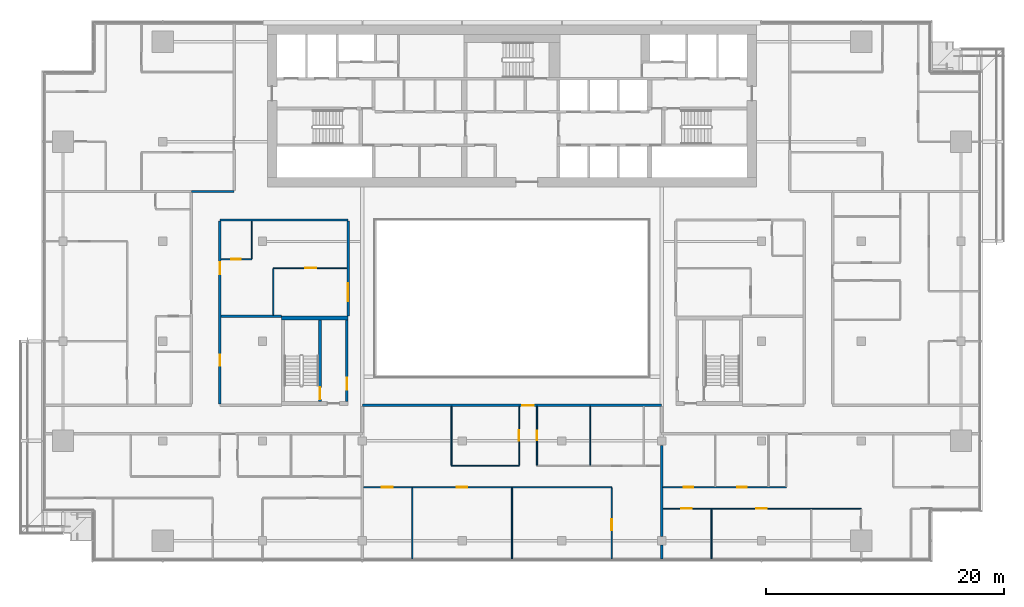
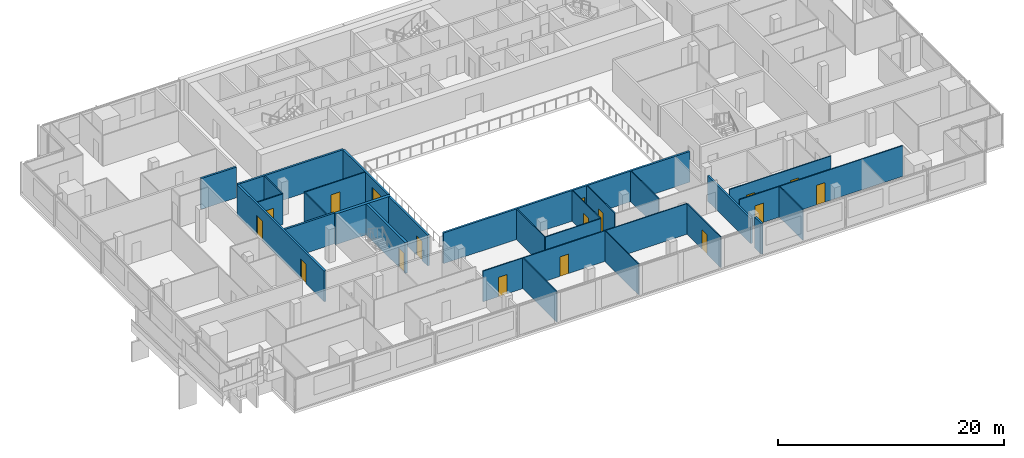
# One storey, part 17 of 29: 27 walls, 16 doors, 1 window, 17 openings.
"""IFC4 building model written with IfcOpenShell, lengths in metres."""

import ifcopenshell
import ifcopenshell.guid

model = None  # the IFC model being written
_history = None  # IfcOwnerHistory: only IFC2X3 demands one
_inside = {}  # id of a spatial element -> (the spatial element, [elements in it])
_under = {}  # id of a project, library or spatial element -> (it, [spatial elements below it])
_declared = {}  # id of a project -> (the project, [libraries it declares])
_typed = {}  # id of a type object -> (the type object, [elements of that type])
_made_of = {}  # id of a material, layer set ... -> (it, [elements and type objects made of it])


def new_model(schema):
    """Start an empty IFC model of exactly this schema.

    Asked for "IFC4X3", IfcOpenShell would pick the latest addendum, in which some entities
    have other attributes; the version numbers below select the first issue.
    IFC2X3 requires an IfcOwnerHistory on every rooted entity: one is made here for all.
    """
    global model, _history
    if schema == "IFC4X3":
        model = ifcopenshell.file(schema_version=(4, 3, 0, 0))
    else:
        model = ifcopenshell.file(schema=schema)
    _inside.clear()
    _under.clear()
    _declared.clear()
    _typed.clear()
    _made_of.clear()
    _history = None
    if model.schema == "IFC2X3":
        org = make("IfcOrganization", Name="unknown")
        user = make(
            "IfcPersonAndOrganization",
            ThePerson=make("IfcPerson", FamilyName="unknown"),
            TheOrganization=org,
        )
        app = make(
            "IfcApplication",
            ApplicationDeveloper=org,
            Version="unknown",
            ApplicationFullName="unknown",
            ApplicationIdentifier="unknown",
        )
        _history = make(
            "IfcOwnerHistory",
            OwningUser=user,
            OwningApplication=app,
            ChangeAction="ADDED",
            CreationDate=0,
        )
    return model


def make(cls, **values):
    """One entity of the class cls with the attributes given. An attribute that is None is left unset."""
    return model.create_entity(
        cls, **{name: value for name, value in values.items() if value is not None}
    )


def rooted(cls, **values):
    """An entity with a GlobalId (a new one), such as an element, a storey or a relation."""
    return make(cls, GlobalId=ifcopenshell.guid.new(), OwnerHistory=_history, **values)


def si_unit(unit_type, name, prefix=None):
    """IfcSIUnit, for example si_unit("LENGTHUNIT", "METRE", prefix="MILLI")."""
    return make("IfcSIUnit", UnitType=unit_type, Prefix=prefix, Name=name)


def assignment(units):
    """IfcUnitAssignment: the units of a project."""
    return None if units is None else make("IfcUnitAssignment", Units=units)


def point(xyz):
    """IfcCartesianPoint."""
    return None if xyz is None else make("IfcCartesianPoint", Coordinates=xyz)


def direction(xyz):
    """IfcDirection."""
    return None if xyz is None else make("IfcDirection", DirectionRatios=xyz)


def frame(location, z_axis=None, x_axis=None):
    """IfcAxis2Placement3D, a coordinate frame: its origin and axes. An axis left out is left unset."""
    return make(
        "IfcAxis2Placement3D",
        Location=point(location),
        Axis=direction(z_axis),
        RefDirection=direction(x_axis),
    )


def frame_2d(location, x_axis=None):
    """IfcAxis2Placement2D, a coordinate frame in the plane: its origin and x axis."""
    return make(
        "IfcAxis2Placement2D", Location=point(location), RefDirection=direction(x_axis)
    )


def origin():
    """The frame at (0, 0, 0) with its axes left unset."""
    return frame((0.0, 0.0, 0.0))


def place(relative_to, where):
    """IfcLocalPlacement: puts the frame where relative to a parent placement (None: the world)."""
    return make(
        "IfcLocalPlacement", PlacementRelTo=relative_to, RelativePlacement=where
    )


def context(
    kind, dimensions, precision=None, world=None, true_north=None, identifier=None
):
    """IfcGeometricRepresentationContext, for example the 3D "Model" context."""
    return make(
        "IfcGeometricRepresentationContext",
        ContextIdentifier=identifier,
        ContextType=kind,
        CoordinateSpaceDimension=dimensions,
        Precision=precision,
        WorldCoordinateSystem=world,
        TrueNorth=true_north,
    )


def subcontext(parent, identifier, kind, view, scale=None):
    """IfcGeometricRepresentationSubContext, for example "Body" below "Model"."""
    return make(
        "IfcGeometricRepresentationSubContext",
        ContextIdentifier=identifier,
        ContextType=kind,
        ParentContext=parent,
        TargetScale=scale,
        TargetView=view,
    )


def project(units=None, contexts=None):
    """IfcProject with its units and contexts."""
    return rooted(
        "IfcProject",
        Name="project",
        RepresentationContexts=contexts,
        UnitsInContext=assignment(units),
    )


def spatial(cls, under=None, at=None, **own):
    """A site, building, storey or space (cls), placed at a placement, below another one or the project."""
    s = rooted(cls, ObjectPlacement=at, **own)
    if under is not None:
        _under.setdefault(under.id(), (under, []))[1].append(s)
    return s


def profile(cls, at=None, kind="AREA", **sizes):
    """A parametric profile (cls). Its sizes go by their IFC names, for example OverallWidth=200.0."""
    return make(cls, ProfileType=kind, Position=at, **sizes)


def rectangle(**sizes):
    """IfcRectangleProfileDef."""
    return profile("IfcRectangleProfileDef", **sizes)


def extrude(swept, where, along, depth):
    """IfcExtrudedAreaSolid: the profile swept, set in the frame where, extruded along a direction by depth."""
    return make(
        "IfcExtrudedAreaSolid",
        SweptArea=swept,
        Position=where,
        ExtrudedDirection=direction(along),
        Depth=depth,
    )


def shape(context_of_items, identifier, shape_type, items):
    """IfcShapeRepresentation: the items that make up one representation, for example the "Body"."""
    return make(
        "IfcShapeRepresentation",
        ContextOfItems=context_of_items,
        RepresentationIdentifier=identifier,
        RepresentationType=shape_type,
        Items=items,
    )


def material(Name=None, Category=None):
    """IfcMaterial."""
    return make("IfcMaterial", Name=Name, Category=Category)


def layer(
    of_material, thickness, ventilated=None, Name=None, Category=None, Priority=None
):
    """IfcMaterialLayer: one layer of a wall or slab, of a material (None: an air gap)."""
    return make(
        "IfcMaterialLayer",
        Material=of_material,
        LayerThickness=thickness,
        IsVentilated=ventilated,
        Name=Name,
        Category=Category,
        Priority=Priority,
    )


def layer_set(layers, Name=None):
    """IfcMaterialLayerSet."""
    return make("IfcMaterialLayerSet", MaterialLayers=layers, LayerSetName=Name)


def made_of(thing, what):
    """Note that an element or type object is made of a material, layer set ...; save() writes the relation."""
    if what is not None:
        _made_of.setdefault(what.id(), (what, []))[1].append(thing)
    return thing


def type_object(cls, material=None, **own):
    """A type object (cls), such as IfcWallType, which elements share."""
    return made_of(rooted(cls, **own), material)


def element(
    cls,
    number,
    at=None,
    inside=None,
    cuts=None,
    type_object=None,
    material=None,
    context=None,
    identifier="Body",
    shape_type=None,
    held_by="IfcProductDefinitionShape",
    body=None,
    shapes=None,
    **own,
):
    """One element of the class cls, such as IfcWall. Its Tag is "e" and its number.

    at: its placement. inside: the storey or other place that contains it. cuts: it is an
    opening in that element (IfcRelVoidsElement). A single representation is given by context,
    identifier, shape_type and body (its items); several are given by shapes. held_by: the class
    of the entity that holds the representations. save() writes the other relations.
    """
    e = rooted(cls, Tag="e%d" % number, ObjectPlacement=at, **own)
    if body is not None:
        shapes = [shape(context, identifier, shape_type, body)]
    if shapes is not None:
        e.Representation = make(held_by, Representations=shapes)
    if inside is not None:
        _inside.setdefault(inside.id(), (inside, []))[1].append(e)
    if cuts is not None:
        rooted(
            "IfcRelVoidsElement", RelatingBuildingElement=cuts, RelatedOpeningElement=e
        )
    if type_object is not None:
        _typed.setdefault(type_object.id(), (type_object, []))[1].append(e)
    return made_of(e, material)


def fill(opening, filler):
    """IfcRelFillsElement: the door or window that sits in an opening."""
    return rooted(
        "IfcRelFillsElement",
        RelatingOpeningElement=opening,
        RelatedBuildingElement=filler,
    )


def aggregate(whole, parts):
    """IfcRelAggregates: a whole, such as a stair, and the parts it consists of."""
    return rooted("IfcRelAggregates", RelatingObject=whole, RelatedObjects=parts)


def save(model, path):
    """Write the relations noted so far, then the file.

    IfcRelAggregates (storeys below a building ...), IfcRelContainedInSpatialStructure (elements
    in a storey), IfcRelDefinesByType, IfcRelAssociatesMaterial and IfcRelDeclares: one each for
    every whole, place, type object, material and project.
    """
    for whole, parts in _under.values():
        aggregate(whole, parts)
    for where, things in _inside.values():
        rooted(
            "IfcRelContainedInSpatialStructure",
            RelatedElements=things,
            RelatingStructure=where,
        )
    for kind, things in _typed.values():
        rooted("IfcRelDefinesByType", RelatedObjects=things, RelatingType=kind)
    for what, things in _made_of.values():
        rooted("IfcRelAssociatesMaterial", RelatedObjects=things, RelatingMaterial=what)
    for by, libraries in _declared.values():
        rooted("IfcRelDeclares", RelatingContext=by, RelatedDefinitions=libraries)
    model.write(path)


model = new_model("IFC4")

# Units and contexts
model_context = context("Model", 3, precision=1e-05, world=origin(), true_north=direction((0.0, 1.0)))
body_context = subcontext(model_context, "Body", "Model", "MODEL_VIEW")
ifc_project = project(units=[si_unit("LENGTHUNIT", "METRE"), si_unit("AREAUNIT", "SQUARE_METRE"), si_unit("VOLUMEUNIT", "CUBIC_METRE"), si_unit("PLANEANGLEUNIT", "RADIAN"), si_unit("MASSUNIT", "GRAM", prefix="KILO")], contexts=[model_context])

# Site, building, storey
site_placement = place(None, origin())
site = spatial("IfcSite", under=ifc_project, at=site_placement, CompositionType="ELEMENT")
building_placement = place(site_placement, origin())
building = spatial("IfcBuilding", under=site, at=building_placement, Name="Saffron Gate Tower", CompositionType="ELEMENT")
storey_placement = place(building_placement, frame((0.0, 0.0, 187.050048828125)))
storey = spatial("IfcBuildingStorey", under=building, at=storey_placement, Name="L46", CompositionType="ELEMENT", Elevation=187.050048828125)

# Wall, opening, door
ifc_material_1 = material(Name="Gypsum board partition on steel studs", Category="steel")
ifc_layer_1 = layer(ifc_material_1, 0.199951171875)
ifc_layer_set_1 = layer_set([ifc_layer_1], Name="CW10 Core partition 200")
wall_type_1 = type_object("IfcWallType", Name="CW10 Core partition 200", PredefinedType="PARTITIONING", material=ifc_layer_set_1)
wall_1_placement = place(storey_placement, frame((73.699951171875, 43.5, 0.0), z_axis=(0.0, 0.0, 1.0), x_axis=(0.0, 1.0, 0.0)))
wall_1 = element("IfcWall", 1, at=wall_1_placement, inside=storey, type_object=wall_type_1, Name="Wall CW10-L46-D-4", PredefinedType="PARTITIONING", context=body_context, shape_type="SweptSolid", body=[
    extrude(rectangle(XDim=6.89990234375, YDim=0.199951171875, at=frame_2d((3.449951171875, 0.0))), origin(), (0.0, 0.0, 1.0), 3.320068359375),
])
opening_1_placement = place(wall_1_placement, frame((1.0, 0.0, 0.0)))
opening_1 = element("IfcOpeningElement", 2, at=opening_1_placement, cuts=wall_1, Name="Opening CR-19", PredefinedType="OPENING", context=body_context, shape_type="SweptSolid", body=[
    extrude(rectangle(XDim=1.0, YDim=2.10009765625, at=frame_2d((0.5, 1.050048828125))), frame((0.0, 0.10986328125, 0.0), z_axis=(0.0, -1.0, 0.0), x_axis=(1.0, 0.0, 0.0)), (0.0, 0.0, 1.0), 0.219970703125),
])
ifc_material_2 = material(Name="Steel fire door set", Category="steel")
door_type_1 = type_object("IfcDoorType", Name="CD4 Lobby door 1000x2100 EI 120", OperationType="NOTDEFINED", PredefinedType="DOOR", material=ifc_material_2)
door_1_placement = place(opening_1_placement, origin())
door_1 = element("IfcDoor", 3, at=door_1_placement, inside=storey, type_object=door_type_1, Name="DOOR CR-19", OperationType="SINGLE_SWING_RIGHT", OverallHeight=2.10009765625, OverallWidth=1.0, PredefinedType="DOOR", context=body_context, shape_type="SweptSolid", body=[
    extrude(rectangle(XDim=1.0, YDim=2.10009765625, at=frame_2d((0.5, 1.050048828125))), frame((0.0, 0.02490234375, 0.0), z_axis=(0.0, -1.0, 0.0), x_axis=(1.0, 0.0, 0.0)), (0.0, 0.0, 1.0), 0.050048828125),
])
fill(opening_1, door_1)

ifc_material_3 = material(Name="Concrete C60", Category="concrete")
ifc_layer_2 = layer(ifc_material_3, 0.25)
ifc_layer_set_2 = layer_set([ifc_layer_2], Name="CW14 RC core wall 250 C60")
wall_type_2 = type_object("IfcWallType", Name="CW14 RC core wall 250 C60", PredefinedType="SOLIDWALL", material=ifc_layer_set_2)
wall_2_placement = place(storey_placement, frame((71.425048828125, 43.5, 0.0), z_axis=(0.0, 0.0, 1.0), x_axis=(0.0, 1.0, 0.0)))
wall_2 = element("IfcWall", 4, at=wall_2_placement, inside=storey, type_object=wall_type_2, Name="Wall CW14-L46-D-3", PredefinedType="SOLIDWALL", context=body_context, shape_type="SweptSolid", body=[
    extrude(rectangle(XDim=6.89990234375, YDim=0.25, at=frame_2d((3.449951171875, 0.0))), origin(), (0.0, 0.0, 1.0), 3.320068359375),
])
opening_2_placement = place(wall_2_placement, frame((0.199951171875, 0.0, 0.0)))
opening_2 = element("IfcOpeningElement", 5, at=opening_2_placement, cuts=wall_2, Name="Opening CR-20", PredefinedType="OPENING", context=body_context, shape_type="SweptSolid", body=[
    extrude(rectangle(XDim=1.0, YDim=2.10009765625, at=frame_2d((0.5, 1.050048828125))), frame((0.0, 0.135009765625, 0.0), z_axis=(0.0, -1.0, 0.0), x_axis=(1.0, 0.0, 0.0)), (0.0, 0.0, 1.0), 0.27001953125),
])
door_type_2 = type_object("IfcDoorType", Name="CD5 Stair door 1000x2100 EI 120", OperationType="NOTDEFINED", PredefinedType="DOOR", material=ifc_material_2)
door_2_placement = place(opening_2_placement, origin())
door_2 = element("IfcDoor", 6, at=door_2_placement, inside=storey, type_object=door_type_2, Name="DOOR CR-20", OperationType="SINGLE_SWING_LEFT", OverallHeight=2.10009765625, OverallWidth=1.0, PredefinedType="DOOR", context=body_context, shape_type="SweptSolid", body=[
    extrude(rectangle(XDim=1.0, YDim=2.10009765625, at=frame_2d((0.5, 1.050048828125))), frame((0.0, 0.02490234375, 0.0), z_axis=(0.0, -1.0, 0.0), x_axis=(1.0, 0.0, 0.0)), (0.0, 0.0, 1.0), 0.050048828125),
])
fill(opening_2, door_2)

# Wall
ifc_layer_3 = layer(ifc_material_3, 0.300048828125)
ifc_layer_set_3 = layer_set([ifc_layer_3], Name="CW17 RC core wall 300 C60")
wall_type_3 = type_object("IfcWallType", Name="CW17 RC core wall 300 C60", PredefinedType="SOLIDWALL", material=ifc_layer_set_3)
wall_3_placement = place(storey_placement, frame((68.199951171875, 50.550048828125, 0.0), z_axis=(0.0, 0.0, 1.0), x_axis=(1.0, 0.0, 0.0)))
element("IfcWall", 7, at=wall_3_placement, inside=storey, type_object=wall_type_3, Name="Wall CW17-L46-D-5", PredefinedType="SOLIDWALL", context=body_context, shape_type="SweptSolid", body=[
    extrude(rectangle(XDim=5.60009765625, YDim=0.300048828125, at=frame_2d((2.800048828125, 0.0))), origin(), (0.0, 0.0, 1.0), 3.320068359375),
])

# Wall, openings, doors
ifc_material_4 = material(Name="Plasterboard on steel studs", Category="steel")
ifc_layer_4 = layer(ifc_material_4, 0.10009765625)
ifc_layer_set_4 = layer_set([ifc_layer_4], Name="PW1 Partition 100")
wall_type_4 = type_object("IfcWallType", Name="PW1 Partition 100", PredefinedType="PARTITIONING", material=ifc_layer_set_4)
wall_4_placement = place(storey_placement, frame((117.0, 34.5, 0.0), z_axis=(0.0, 0.0, 1.0), x_axis=(-1.0, 0.0, 0.0)))
wall_4 = element("IfcWall", 8, at=wall_4_placement, inside=storey, type_object=wall_type_4, Name="Partition C4-1", PredefinedType="PARTITIONING", context=body_context, shape_type="SweptSolid", body=[
    extrude(rectangle(XDim=16.699951171875, YDim=0.10009765625, at=frame_2d((8.35009765625, 0.0))), origin(), (0.0, 0.0, 1.0), 3.320068359375),
])
opening_3_placement = place(wall_4_placement, frame((7.949951171875, 0.0, 0.0)))
opening_3 = element("IfcOpeningElement", 9, at=opening_3_placement, cuts=wall_4, Name="Opening C4-21", PredefinedType="OPENING", context=body_context, shape_type="SweptSolid", body=[
    extrude(rectangle(XDim=0.89990234375, YDim=2.10009765625, at=frame_2d((0.449951171875, 1.050048828125))), frame((0.0, 0.06005859375, 0.0), z_axis=(0.0, -1.0, 0.0), x_axis=(1.0, 0.0, 0.0)), (0.0, 0.0, 1.0), 0.1201171875),
])
opening_4_placement = place(wall_4_placement, frame((14.25, 0.0, 0.0)))
opening_4 = element("IfcOpeningElement", 10, at=opening_4_placement, cuts=wall_4, Name="Opening C4-20", PredefinedType="OPENING", context=body_context, shape_type="SweptSolid", body=[
    extrude(rectangle(XDim=0.89990234375, YDim=2.10009765625, at=frame_2d((0.449951171875, 1.050048828125))), frame((0.0, 0.06005859375, 0.0), z_axis=(0.0, -1.0, 0.0), x_axis=(1.0, 0.0, 0.0)), (0.0, 0.0, 1.0), 0.1201171875),
])
ifc_material_5 = material(Name="Timber door set", Category="wood")
door_type_3 = type_object("IfcDoorType", Name="RD1 Room door 900x2100", OperationType="NOTDEFINED", PredefinedType="DOOR", material=ifc_material_5)
door_3_placement = place(opening_3_placement, origin())
door_3 = element("IfcDoor", 11, at=door_3_placement, inside=storey, type_object=door_type_3, Name="Door C4-21", OperationType="SINGLE_SWING_LEFT", OverallHeight=2.10009765625, OverallWidth=0.89990234375, PredefinedType="DOOR", context=body_context, shape_type="SweptSolid", body=[
    extrude(rectangle(XDim=0.89990234375, YDim=2.10009765625, at=frame_2d((0.449951171875, 1.050048828125))), frame((0.0, 0.02490234375, 0.0), z_axis=(0.0, -1.0, 0.0), x_axis=(1.0, 0.0, 0.0)), (0.0, 0.0, 1.0), 0.050048828125),
])
fill(opening_3, door_3)
door_4_placement = place(opening_4_placement, origin())
door_4 = element("IfcDoor", 12, at=door_4_placement, inside=storey, type_object=door_type_3, Name="Door C4-20", OperationType="SINGLE_SWING_RIGHT", OverallHeight=2.10009765625, OverallWidth=0.89990234375, PredefinedType="DOOR", context=body_context, shape_type="SweptSolid", body=[
    extrude(rectangle(XDim=0.89990234375, YDim=2.10009765625, at=frame_2d((0.449951171875, 1.050048828125))), frame((0.0, 0.02490234375, 0.0), z_axis=(0.0, -1.0, 0.0), x_axis=(1.0, 0.0, 0.0)), (0.0, 0.0, 1.0), 0.050048828125),
])
fill(opening_4, door_4)

wall_5_placement = place(storey_placement, frame((96.0, 36.300048828125, 0.0), z_axis=(0.0, 0.0, 1.0), x_axis=(-1.0, 0.0, 0.0)))
wall_5 = element("IfcWall", 13, at=wall_5_placement, inside=storey, type_object=wall_type_4, Name="Partition C4-5", PredefinedType="PARTITIONING", context=body_context, shape_type="SweptSolid", body=[
    extrude(rectangle(XDim=20.89990234375, YDim=0.10009765625, at=frame_2d((10.449951171875, 0.0))), origin(), (0.0, 0.0, 1.0), 3.320068359375),
])
opening_5_placement = place(wall_5_placement, frame((12.14990234375, 0.0, 0.0)))
opening_5 = element("IfcOpeningElement", 14, at=opening_5_placement, cuts=wall_5, Name="Opening C4-16", PredefinedType="OPENING", context=body_context, shape_type="SweptSolid", body=[
    extrude(rectangle(XDim=0.89990234375, YDim=2.10009765625, at=frame_2d((0.449951171875, 1.050048828125))), frame((0.0, 0.06005859375, 0.0), z_axis=(0.0, -1.0, 0.0), x_axis=(1.0, 0.0, 0.0)), (0.0, 0.0, 1.0), 0.1201171875),
])
opening_6_placement = place(wall_5_placement, frame((18.449951171875, 0.0, 0.0)))
opening_6 = element("IfcOpeningElement", 15, at=opening_6_placement, cuts=wall_5, Name="Opening C4-15", PredefinedType="OPENING", context=body_context, shape_type="SweptSolid", body=[
    extrude(rectangle(XDim=0.89990234375, YDim=2.10009765625, at=frame_2d((0.449951171875, 1.050048828125))), frame((0.0, 0.06005859375, 0.0), z_axis=(0.0, -1.0, 0.0), x_axis=(1.0, 0.0, 0.0)), (0.0, 0.0, 1.0), 0.1201171875),
])
door_5_placement = place(opening_5_placement, origin())
door_5 = element("IfcDoor", 16, at=door_5_placement, inside=storey, type_object=door_type_3, Name="Door C4-16", OperationType="SINGLE_SWING_RIGHT", OverallHeight=2.10009765625, OverallWidth=0.89990234375, PredefinedType="DOOR", context=body_context, shape_type="SweptSolid", body=[
    extrude(rectangle(XDim=0.89990234375, YDim=2.10009765625, at=frame_2d((0.449951171875, 1.050048828125))), frame((0.0, 0.02490234375, 0.0), z_axis=(0.0, -1.0, 0.0), x_axis=(1.0, 0.0, 0.0)), (0.0, 0.0, 1.0), 0.050048828125),
])
fill(opening_5, door_5)
door_6_placement = place(opening_6_placement, origin())
door_6 = element("IfcDoor", 17, at=door_6_placement, inside=storey, type_object=door_type_3, Name="Door C4-15", OperationType="SINGLE_SWING_RIGHT", OverallHeight=2.10009765625, OverallWidth=0.89990234375, PredefinedType="DOOR", context=body_context, shape_type="SweptSolid", body=[
    extrude(rectangle(XDim=0.89990234375, YDim=2.10009765625, at=frame_2d((0.449951171875, 1.050048828125))), frame((0.0, 0.02490234375, 0.0), z_axis=(0.0, -1.0, 0.0), x_axis=(1.0, 0.0, 0.0)), (0.0, 0.0, 1.0), 0.050048828125),
])
fill(opening_6, door_6)

wall_6_placement = place(storey_placement, frame((100.300048828125, 36.300048828125, 0.0), z_axis=(0.0, 0.0, 1.0), x_axis=(1.0, 0.0, 0.0)))
wall_6 = element("IfcWall", 18, at=wall_6_placement, inside=storey, type_object=wall_type_4, Name="Partition C4-6", PredefinedType="PARTITIONING", context=body_context, shape_type="SweptSolid", body=[
    extrude(rectangle(XDim=10.39990234375, YDim=0.10009765625, at=frame_2d((5.199951171875, 0.0))), origin(), (0.0, 0.0, 1.0), 3.320068359375),
])
opening_7_placement = place(wall_6_placement, frame((1.75, 0.0, 0.0)))
opening_7 = element("IfcOpeningElement", 19, at=opening_7_placement, cuts=wall_6, Name="Opening C4-44", PredefinedType="OPENING", context=body_context, shape_type="SweptSolid", body=[
    extrude(rectangle(XDim=0.800048828125, YDim=2.10009765625, at=frame_2d((0.39990234375, 1.050048828125))), frame((0.0, 0.06005859375, 0.0), z_axis=(0.0, -1.0, 0.0), x_axis=(1.0, 0.0, 0.0)), (0.0, 0.0, 1.0), 0.1201171875),
])
opening_8_placement = place(wall_6_placement, frame((6.25, 0.0, 0.0)))
opening_8 = element("IfcOpeningElement", 20, at=opening_8_placement, cuts=wall_6, Name="Opening C4-45", PredefinedType="OPENING", context=body_context, shape_type="SweptSolid", body=[
    extrude(rectangle(XDim=0.800048828125, YDim=2.10009765625, at=frame_2d((0.39990234375, 1.050048828125))), frame((0.0, 0.06005859375, 0.0), z_axis=(0.0, -1.0, 0.0), x_axis=(1.0, 0.0, 0.0)), (0.0, 0.0, 1.0), 0.1201171875),
])
door_type_4 = type_object("IfcDoorType", Name="RD2 Bathroom door 800x2100", OperationType="NOTDEFINED", PredefinedType="DOOR", material=ifc_material_5)
door_7_placement = place(opening_7_placement, origin())
door_7 = element("IfcDoor", 21, at=door_7_placement, inside=storey, type_object=door_type_4, Name="Door C4-44", OperationType="SINGLE_SWING_LEFT", OverallHeight=2.10009765625, OverallWidth=0.800048828125, PredefinedType="DOOR", context=body_context, shape_type="SweptSolid", body=[
    extrude(rectangle(XDim=0.800048828125, YDim=2.10009765625, at=frame_2d((0.39990234375, 1.050048828125))), frame((0.0, 0.02490234375, 0.0), z_axis=(0.0, -1.0, 0.0), x_axis=(1.0, 0.0, 0.0)), (0.0, 0.0, 1.0), 0.050048828125),
])
fill(opening_7, door_7)
door_8_placement = place(opening_8_placement, origin())
door_8 = element("IfcDoor", 22, at=door_8_placement, inside=storey, type_object=door_type_4, Name="Door C4-45", OperationType="SINGLE_SWING_RIGHT", OverallHeight=2.10009765625, OverallWidth=0.800048828125, PredefinedType="DOOR", context=body_context, shape_type="SweptSolid", body=[
    extrude(rectangle(XDim=0.800048828125, YDim=2.10009765625, at=frame_2d((0.39990234375, 1.050048828125))), frame((0.0, 0.02490234375, 0.0), z_axis=(0.0, -1.0, 0.0), x_axis=(1.0, 0.0, 0.0)), (0.0, 0.0, 1.0), 0.050048828125),
])
fill(opening_8, door_8)

# Wall
wall_7_placement = place(storey_placement, frame((82.5, 38.10009765625, 0.0), z_axis=(0.0, 0.0, 1.0), x_axis=(1.0, 0.0, 0.0)))
element("IfcWall", 23, at=wall_7_placement, inside=storey, type_object=wall_type_4, Name="Partition C4-10", PredefinedType="PARTITIONING", context=body_context, shape_type="SweptSolid", body=[
    extrude(rectangle(XDim=5.699951171875, YDim=0.10009765625, at=frame_2d((2.85009765625, 0.0))), origin(), (0.0, 0.0, 1.0), 3.320068359375),
])

# Wall, opening, door
wall_8_placement = place(storey_placement, frame((73.699951171875, 54.75, 0.0), z_axis=(0.0, 0.0, 1.0), x_axis=(-1.0, 0.0, 0.0)))
wall_8 = element("IfcWall", 24, at=wall_8_placement, inside=storey, type_object=wall_type_4, Name="Partition C4-32", PredefinedType="PARTITIONING", context=body_context, shape_type="SweptSolid", body=[
    extrude(rectangle(XDim=6.199951171875, YDim=0.10009765625, at=frame_2d((3.10009765625, 0.0))), origin(), (0.0, 0.0, 1.0), 3.320068359375),
])
opening_9_placement = place(wall_8_placement, frame((2.60009765625, 0.0, 0.0)))
opening_9 = element("IfcOpeningElement", 25, at=opening_9_placement, cuts=wall_8, Name="Opening C4-38", PredefinedType="OPENING", context=body_context, shape_type="SweptSolid", body=[
    extrude(rectangle(XDim=0.89990234375, YDim=2.10009765625, at=frame_2d((0.449951171875, 1.050048828125))), frame((0.0, 0.06005859375, 0.0), z_axis=(0.0, -1.0, 0.0), x_axis=(1.0, 0.0, 0.0)), (0.0, 0.0, 1.0), 0.1201171875),
])
door_9_placement = place(opening_9_placement, origin())
door_9 = element("IfcDoor", 26, at=door_9_placement, inside=storey, type_object=door_type_3, Name="Door C4-38", OperationType="SINGLE_SWING_LEFT", OverallHeight=2.10009765625, OverallWidth=0.89990234375, PredefinedType="DOOR", context=body_context, shape_type="SweptSolid", body=[
    extrude(rectangle(XDim=0.89990234375, YDim=2.10009765625, at=frame_2d((0.449951171875, 1.050048828125))), frame((0.0, 0.02490234375, 0.0), z_axis=(0.0, -1.0, 0.0), x_axis=(1.0, 0.0, 0.0)), (0.0, 0.0, 1.0), 0.050048828125),
])
fill(opening_9, door_9)

wall_9_placement = place(storey_placement, frame((63.10009765625, 55.5, 0.0), z_axis=(0.0, 0.0, 1.0), x_axis=(1.0, 0.0, 0.0)))
wall_9 = element("IfcWall", 27, at=wall_9_placement, inside=storey, type_object=wall_type_4, Name="Partition C4-35", PredefinedType="PARTITIONING", context=body_context, shape_type="SweptSolid", body=[
    extrude(rectangle(XDim=2.599853515625, YDim=0.10009765625, at=frame_2d((1.2998046875, 0.0))), origin(), (0.0, 0.0, 1.0), 3.320068359375),
])
opening_10_placement = place(wall_9_placement, frame((0.85009765625, 0.0, 0.0)))
opening_10 = element("IfcOpeningElement", 28, at=opening_10_placement, cuts=wall_9, Name="Opening C4-52", PredefinedType="OPENING", context=body_context, shape_type="SweptSolid", body=[
    extrude(rectangle(XDim=0.800048828125, YDim=2.10009765625, at=frame_2d((0.39990234375, 1.050048828125))), frame((0.0, 0.06005859375, 0.0), z_axis=(0.0, -1.0, 0.0), x_axis=(1.0, 0.0, 0.0)), (0.0, 0.0, 1.0), 0.1201171875),
])
door_10_placement = place(opening_10_placement, origin())
door_10 = element("IfcDoor", 29, at=door_10_placement, inside=storey, type_object=door_type_4, Name="Door C4-52", OperationType="SINGLE_SWING_LEFT", OverallHeight=2.10009765625, OverallWidth=0.800048828125, PredefinedType="DOOR", context=body_context, shape_type="SweptSolid", body=[
    extrude(rectangle(XDim=0.800048828125, YDim=2.10009765625, at=frame_2d((0.39990234375, 1.050048828125))), frame((0.0, 0.02490234375, 0.0), z_axis=(0.0, -1.0, 0.0), x_axis=(1.0, 0.0, 0.0)), (0.0, 0.0, 1.0), 0.050048828125),
])
fill(opening_10, door_10)

# Walls
wall_10_placement = place(storey_placement, frame((65.699951171875, 58.699951171875, 0.0), z_axis=(0.0, 0.0, 1.0), x_axis=(0.0, -1.0, 0.0)))
element("IfcWall", 30, at=wall_10_placement, inside=storey, type_object=wall_type_4, Name="Partition C4-72", PredefinedType="PARTITIONING", context=body_context, shape_type="SweptSolid", body=[
    extrude(rectangle(XDim=3.14990234375, YDim=0.10009765625, at=frame_2d((1.574951171875, 0.0))), origin(), (0.0, 0.0, 1.0), 3.320068359375),
])
wall_11_placement = place(storey_placement, frame((67.5, 54.699951171875, 0.0), z_axis=(0.0, 0.0, 1.0), x_axis=(0.0, -1.0, 0.0)))
element("IfcWall", 31, at=wall_11_placement, inside=storey, type_object=wall_type_4, Name="Partition C4-75", PredefinedType="PARTITIONING", context=body_context, shape_type="SweptSolid", body=[
    extrude(rectangle(XDim=3.89990234375, YDim=0.10009765625, at=frame_2d((1.949951171875, 0.0))), origin(), (0.0, 0.0, 1.0), 3.320068359375),
])
wall_12_placement = place(storey_placement, frame((79.199951171875, 36.25, 0.0), z_axis=(0.0, 0.0, 1.0), x_axis=(0.0, -1.0, 0.0)))
element("IfcWall", 32, at=wall_12_placement, inside=storey, type_object=wall_type_4, Name="Partition C4-82", PredefinedType="PARTITIONING", context=body_context, shape_type="SweptSolid", body=[
    extrude(rectangle(XDim=5.969970703125, YDim=0.10009765625, at=frame_2d((2.98486328125, 0.0))), origin(), (0.0, 0.0, 1.0), 3.320068359375),
])
wall_13_placement = place(storey_placement, frame((82.5, 43.10009765625, 0.0), z_axis=(0.0, 0.0, 1.0), x_axis=(0.0, -1.0, 0.0)))
element("IfcWall", 33, at=wall_13_placement, inside=storey, type_object=wall_type_4, Name="Partition C4-83", PredefinedType="PARTITIONING", context=body_context, shape_type="SweptSolid", body=[
    extrude(rectangle(XDim=4.9501953125, YDim=0.10009765625, at=frame_2d((2.47509765625, 0.0))), origin(), (0.0, 0.0, 1.0), 3.320068359375),
])
wall_14_placement = place(storey_placement, frame((87.60009765625, 36.25, 0.0), z_axis=(0.0, 0.0, 1.0), x_axis=(0.0, -1.0, 0.0)))
element("IfcWall", 34, at=wall_14_placement, inside=storey, type_object=wall_type_4, Name="Partition C4-84", PredefinedType="PARTITIONING", context=body_context, shape_type="SweptSolid", body=[
    extrude(rectangle(XDim=5.969970703125, YDim=0.10009765625, at=frame_2d((2.98486328125, 0.0))), origin(), (0.0, 0.0, 1.0), 3.320068359375),
])

# Wall, opening, door
wall_15_placement = place(storey_placement, frame((88.199951171875, 38.14990234375, 0.0), z_axis=(0.0, 0.0, 1.0), x_axis=(0.0, 1.0, 0.0)))
wall_15 = element("IfcWall", 35, at=wall_15_placement, inside=storey, type_object=wall_type_4, Name="Partition C4-85", PredefinedType="PARTITIONING", context=body_context, shape_type="SweptSolid", body=[
    extrude(rectangle(XDim=4.9501953125, YDim=0.10009765625, at=frame_2d((2.47509765625, 0.0))), origin(), (0.0, 0.0, 1.0), 3.320068359375),
])
opening_11_placement = place(wall_15_placement, frame((2.050048828125, 0.0, 0.0)))
opening_11 = element("IfcOpeningElement", 36, at=opening_11_placement, cuts=wall_15, Name="Opening C4-18", PredefinedType="OPENING", context=body_context, shape_type="SweptSolid", body=[
    extrude(rectangle(XDim=0.89990234375, YDim=2.10009765625, at=frame_2d((0.449951171875, 1.050048828125))), frame((0.0, 0.06005859375, 0.0), z_axis=(0.0, -1.0, 0.0), x_axis=(1.0, 0.0, 0.0)), (0.0, 0.0, 1.0), 0.1201171875),
])
door_11_placement = place(opening_11_placement, origin())
door_11 = element("IfcDoor", 37, at=door_11_placement, inside=storey, type_object=door_type_3, Name="Door C4-18", OperationType="SINGLE_SWING_RIGHT", OverallHeight=2.10009765625, OverallWidth=0.89990234375, PredefinedType="DOOR", context=body_context, shape_type="SweptSolid", body=[
    extrude(rectangle(XDim=0.89990234375, YDim=2.10009765625, at=frame_2d((0.449951171875, 1.050048828125))), frame((0.0, 0.02490234375, 0.0), z_axis=(0.0, -1.0, 0.0), x_axis=(1.0, 0.0, 0.0)), (0.0, 0.0, 1.0), 0.050048828125),
])
fill(opening_11, door_11)

wall_16_placement = place(storey_placement, frame((89.699951171875, 43.10009765625, 0.0), z_axis=(0.0, 0.0, 1.0), x_axis=(0.0, -1.0, 0.0)))
wall_16 = element("IfcWall", 38, at=wall_16_placement, inside=storey, type_object=wall_type_4, Name="Partition C4-86", PredefinedType="PARTITIONING", context=body_context, shape_type="SweptSolid", body=[
    extrude(rectangle(XDim=4.9501953125, YDim=0.10009765625, at=frame_2d((2.47509765625, 0.0))), origin(), (0.0, 0.0, 1.0), 3.320068359375),
])
opening_12_placement = place(wall_16_placement, frame((2.050048828125, 0.0, 0.0)))
opening_12 = element("IfcOpeningElement", 39, at=opening_12_placement, cuts=wall_16, Name="Opening C4-42", PredefinedType="OPENING", context=body_context, shape_type="SweptSolid", body=[
    extrude(rectangle(XDim=0.800048828125, YDim=2.10009765625, at=frame_2d((0.39990234375, 1.050048828125))), frame((0.0, 0.06005859375, 0.0), z_axis=(0.0, -1.0, 0.0), x_axis=(1.0, 0.0, 0.0)), (0.0, 0.0, 1.0), 0.1201171875),
])
door_12_placement = place(opening_12_placement, origin())
door_12 = element("IfcDoor", 40, at=door_12_placement, inside=storey, type_object=door_type_4, Name="Door C4-42", OperationType="SINGLE_SWING_LEFT", OverallHeight=2.10009765625, OverallWidth=0.800048828125, PredefinedType="DOOR", context=body_context, shape_type="SweptSolid", body=[
    extrude(rectangle(XDim=0.800048828125, YDim=2.10009765625, at=frame_2d((0.39990234375, 1.050048828125))), frame((0.0, 0.02490234375, 0.0), z_axis=(0.0, -1.0, 0.0), x_axis=(1.0, 0.0, 0.0)), (0.0, 0.0, 1.0), 0.050048828125),
])
fill(opening_12, door_12)

# Wall
wall_17_placement = place(storey_placement, frame((94.199951171875, 43.10009765625, 0.0), z_axis=(0.0, 0.0, 1.0), x_axis=(0.0, -1.0, 0.0)))
element("IfcWall", 41, at=wall_17_placement, inside=storey, type_object=wall_type_4, Name="Partition C4-87", PredefinedType="PARTITIONING", context=body_context, shape_type="SweptSolid", body=[
    extrude(rectangle(XDim=4.9501953125, YDim=0.10009765625, at=frame_2d((2.47509765625, 0.0))), origin(), (0.0, 0.0, 1.0), 3.320068359375),
])

# Wall, opening, door
wall_18_placement = place(storey_placement, frame((96.0, 30.280029296875, 0.0), z_axis=(0.0, 0.0, 1.0), x_axis=(0.0, 1.0, 0.0)))
wall_18 = element("IfcWall", 42, at=wall_18_placement, inside=storey, type_object=wall_type_4, Name="Partition C4-88", PredefinedType="PARTITIONING", context=body_context, shape_type="SweptSolid", body=[
    extrude(rectangle(XDim=5.969970703125, YDim=0.10009765625, at=frame_2d((2.98486328125, 0.0))), origin(), (0.0, 0.0, 1.0), 3.320068359375),
])
opening_13_placement = place(wall_18_placement, frame((2.419921875, 0.0, 0.0)))
opening_13 = element("IfcOpeningElement", 43, at=opening_13_placement, cuts=wall_18, Name="Opening C4-17", PredefinedType="OPENING", context=body_context, shape_type="SweptSolid", body=[
    extrude(rectangle(XDim=0.89990234375, YDim=2.10009765625, at=frame_2d((0.449951171875, 1.050048828125))), frame((0.0, 0.06005859375, 0.0), z_axis=(0.0, -1.0, 0.0), x_axis=(1.0, 0.0, 0.0)), (0.0, 0.0, 1.0), 0.1201171875),
])
door_13_placement = place(opening_13_placement, origin())
door_13 = element("IfcDoor", 44, at=door_13_placement, inside=storey, type_object=door_type_3, Name="Door C4-17", OperationType="SINGLE_SWING_LEFT", OverallHeight=2.10009765625, OverallWidth=0.89990234375, PredefinedType="DOOR", context=body_context, shape_type="SweptSolid", body=[
    extrude(rectangle(XDim=0.89990234375, YDim=2.10009765625, at=frame_2d((0.449951171875, 1.050048828125))), frame((0.0, 0.02490234375, 0.0), z_axis=(0.0, -1.0, 0.0), x_axis=(1.0, 0.0, 0.0)), (0.0, 0.0, 1.0), 0.050048828125),
])
fill(opening_13, door_13)

# Walls
wall_19_placement = place(storey_placement, frame((104.39990234375, 34.449951171875, 0.0), z_axis=(0.0, 0.0, 1.0), x_axis=(0.0, -1.0, 0.0)))
element("IfcWall", 45, at=wall_19_placement, inside=storey, type_object=wall_type_4, Name="Partition C4-94", PredefinedType="PARTITIONING", context=body_context, shape_type="SweptSolid", body=[
    extrude(rectangle(XDim=4.169921875, YDim=0.10009765625, at=frame_2d((2.0849609375, 0.0))), origin(), (0.0, 0.0, 1.0), 3.320068359375),
])
ifc_material_6 = material(Name="Clay brick masonry, rendered", Category="masonry")
ifc_layer_5 = layer(ifc_material_6, 0.199951171875)
ifc_layer_set_5 = layer_set([ifc_layer_5], Name="PW2 Demising wall 200")
wall_type_5 = type_object("IfcWallType", Name="PW2 Demising wall 200", PredefinedType="PARTITIONING", material=ifc_layer_set_5)
wall_20_placement = place(storey_placement, frame((63.10009765625, 50.699951171875, 0.0), z_axis=(0.0, 0.0, 1.0), x_axis=(1.0, 0.0, 0.0)))
element("IfcWall", 46, at=wall_20_placement, inside=storey, type_object=wall_type_5, Name="Wall C4-27", PredefinedType="PARTITIONING", context=body_context, shape_type="SweptSolid", body=[
    extrude(rectangle(XDim=5.099853515625, YDim=0.199951171875, at=frame_2d((2.5498046875, 0.0))), origin(), (0.0, 0.0, 1.0), 3.320068359375),
])
wall_21_placement = place(storey_placement, frame((100.199951171875, 31.429931640625, 0.0), z_axis=(0.0, 0.0, 1.0), x_axis=(0.0, -1.0, 0.0)))
element("IfcWall", 47, at=wall_21_placement, inside=storey, type_object=wall_type_5, Name="Wall C4-91", PredefinedType="PARTITIONING", context=body_context, shape_type="SweptSolid", body=[
    extrude(rectangle(XDim=1.14990234375, YDim=0.199951171875, at=frame_2d((0.574951171875, 0.0))), origin(), (0.0, 0.0, 1.0), 3.320068359375),
])
wall_22_placement = place(storey_placement, frame((100.199951171875, 39.830078125, 0.0), z_axis=(0.0, 0.0, 1.0), x_axis=(0.0, -1.0, 0.0)))
element("IfcWall", 48, at=wall_22_placement, inside=storey, type_object=wall_type_5, Name="Wall C4-92", PredefinedType="PARTITIONING", context=body_context, shape_type="SweptSolid", body=[
    extrude(rectangle(XDim=7.66015625, YDim=0.199951171875, at=frame_2d((3.830078125, 0.0))), origin(), (0.0, 0.0, 1.0), 2.719970703125),
])

# Wall, opening, door
ifc_layer_6 = layer(ifc_material_6, 0.199951171875)
ifc_layer_set_6 = layer_set([ifc_layer_6], Name="PW3 Corridor wall 200")
wall_type_6 = type_object("IfcWallType", Name="PW3 Corridor wall 200", PredefinedType="PARTITIONING", material=ifc_layer_set_6)
wall_23_placement = place(storey_placement, frame((100.199951171875, 43.199951171875, 0.0), z_axis=(0.0, 0.0, 1.0), x_axis=(-1.0, 0.0, 0.0)))
wall_23 = element("IfcWall", 49, at=wall_23_placement, inside=storey, type_object=wall_type_6, Name="Wall C4-18", PredefinedType="PARTITIONING", context=body_context, shape_type="SweptSolid", body=[
    extrude(rectangle(XDim=25.199951171875, YDim=0.199951171875, at=frame_2d((12.60009765625, 0.0))), origin(), (0.0, 0.0, 1.0), 3.320068359375),
])
opening_14_placement = place(wall_23_placement, frame((10.75, 0.0, 0.0)))
opening_14 = element("IfcOpeningElement", 50, at=opening_14_placement, cuts=wall_23, Name="Opening C4-2", PredefinedType="OPENING", context=body_context, shape_type="SweptSolid", body=[
    extrude(rectangle(XDim=1.0, YDim=2.10009765625, at=frame_2d((0.5, 1.050048828125))), frame((0.0, 0.10986328125, 0.0), z_axis=(0.0, -1.0, 0.0), x_axis=(1.0, 0.0, 0.0)), (0.0, 0.0, 1.0), 0.219970703125),
])
ifc_material_7 = material(Name="Timber fire door set", Category="wood")
door_type_5 = type_object("IfcDoorType", Name="FD1 Flat entry door 1000x2100", OperationType="NOTDEFINED", PredefinedType="DOOR", material=ifc_material_7)
door_14_placement = place(opening_14_placement, origin())
door_14 = element("IfcDoor", 51, at=door_14_placement, inside=storey, type_object=door_type_5, Name="Door C4-2", OperationType="SINGLE_SWING_RIGHT", OverallHeight=2.10009765625, OverallWidth=1.0, PredefinedType="DOOR", context=body_context, shape_type="SweptSolid", body=[
    extrude(rectangle(XDim=1.0, YDim=2.10009765625, at=frame_2d((0.5, 1.050048828125))), frame((0.0, 0.02490234375, 0.0), z_axis=(0.0, -1.0, 0.0), x_axis=(1.0, 0.0, 0.0)), (0.0, 0.0, 1.0), 0.050048828125),
])
fill(opening_14, door_14)

# Walls
wall_24_placement = place(storey_placement, frame((63.0, 58.800048828125, 0.0), z_axis=(0.0, 0.0, 1.0), x_axis=(1.0, 0.0, 0.0)))
element("IfcWall", 52, at=wall_24_placement, inside=storey, type_object=wall_type_6, Name="Wall C4-39", PredefinedType="PARTITIONING", context=body_context, shape_type="SweptSolid", body=[
    extrude(rectangle(XDim=10.800048828125, YDim=0.199951171875, at=frame_2d((5.39990234375, 0.0))), origin(), (0.0, 0.0, 1.0), 3.320068359375),
])
wall_25_placement = place(storey_placement, frame((60.60009765625, 61.199951171875, 0.0), z_axis=(0.0, 0.0, 1.0), x_axis=(1.0, 0.0, 0.0)))
element("IfcWall", 53, at=wall_25_placement, inside=storey, type_object=wall_type_6, Name="Wall C4-43", PredefinedType="PARTITIONING", context=body_context, shape_type="SweptSolid", body=[
    extrude(rectangle(XDim=3.599853515625, YDim=0.199951171875, at=frame_2d((1.7998046875, 0.0))), origin(), (0.0, 0.0, 1.0), 3.320068359375),
])

# Wall, openings, doors
wall_26_placement = place(storey_placement, frame((63.0, 58.699951171875, 0.0), z_axis=(0.0, 0.0, 1.0), x_axis=(0.0, -1.0, 0.0)))
wall_26 = element("IfcWall", 54, at=wall_26_placement, inside=storey, type_object=wall_type_6, Name="Wall C4-68", PredefinedType="PARTITIONING", context=body_context, shape_type="SweptSolid", body=[
    extrude(rectangle(XDim=15.39990234375, YDim=0.199951171875, at=frame_2d((7.699951171875, 0.0))), origin(), (0.0, 0.0, 1.0), 3.320068359375),
])
opening_15_placement = place(wall_26_placement, frame((3.449951171875, 0.0, 0.0)))
opening_15 = element("IfcOpeningElement", 55, at=opening_15_placement, cuts=wall_26, Name="Opening C4-8", PredefinedType="OPENING", context=body_context, shape_type="SweptSolid", body=[
    extrude(rectangle(XDim=1.0, YDim=2.10009765625, at=frame_2d((0.5, 1.050048828125))), frame((0.0, 0.10986328125, 0.0), z_axis=(0.0, -1.0, 0.0), x_axis=(1.0, 0.0, 0.0)), (0.0, 0.0, 1.0), 0.219970703125),
])
opening_16_placement = place(wall_26_placement, frame((11.25, 0.0, 0.0)))
opening_16 = element("IfcOpeningElement", 56, at=opening_16_placement, cuts=wall_26, Name="Opening C4-55", PredefinedType="OPENING", context=body_context, shape_type="SweptSolid", body=[
    extrude(rectangle(XDim=0.89990234375, YDim=2.10009765625, at=frame_2d((0.449951171875, 1.050048828125))), frame((0.0, 0.10986328125, 0.0), z_axis=(0.0, -1.0, 0.0), x_axis=(1.0, 0.0, 0.0)), (0.0, 0.0, 1.0), 0.219970703125),
])
door_15_placement = place(opening_15_placement, origin())
door_15 = element("IfcDoor", 57, at=door_15_placement, inside=storey, type_object=door_type_5, Name="Door C4-8", OperationType="SINGLE_SWING_LEFT", OverallHeight=2.10009765625, OverallWidth=1.0, PredefinedType="DOOR", context=body_context, shape_type="SweptSolid", body=[
    extrude(rectangle(XDim=1.0, YDim=2.10009765625, at=frame_2d((0.5, 1.050048828125))), frame((0.0, 0.02490234375, 0.0), z_axis=(0.0, -1.0, 0.0), x_axis=(1.0, 0.0, 0.0)), (0.0, 0.0, 1.0), 0.050048828125),
])
fill(opening_15, door_15)
door_type_6 = type_object("IfcDoorType", Name="SD1 Service door 900x2100", OperationType="NOTDEFINED", PredefinedType="DOOR", material=ifc_material_2)
door_16_placement = place(opening_16_placement, origin())
door_16 = element("IfcDoor", 58, at=door_16_placement, inside=storey, type_object=door_type_6, Name="Door C4-55", OperationType="SINGLE_SWING_RIGHT", OverallHeight=2.10009765625, OverallWidth=0.89990234375, PredefinedType="DOOR", context=body_context, shape_type="SweptSolid", body=[
    extrude(rectangle(XDim=0.89990234375, YDim=2.10009765625, at=frame_2d((0.449951171875, 1.050048828125))), frame((0.0, 0.02490234375, 0.0), z_axis=(0.0, -1.0, 0.0), x_axis=(1.0, 0.0, 0.0)), (0.0, 0.0, 1.0), 0.050048828125),
])
fill(opening_16, door_16)

# Wall, opening, window
wall_27_placement = place(storey_placement, frame((73.800048828125, 58.699951171875, 0.0), z_axis=(0.0, 0.0, 1.0), x_axis=(0.0, -1.0, 0.0)))
wall_27 = element("IfcWall", 59, at=wall_27_placement, inside=storey, type_object=wall_type_6, Name="Wall C4-78", PredefinedType="PARTITIONING", context=body_context, shape_type="SweptSolid", body=[
    extrude(rectangle(XDim=8.0, YDim=0.199951171875, at=frame_2d((4.0, 0.0))), origin(), (0.0, 0.0, 1.0), 3.320068359375),
])
opening_17_placement = place(wall_27_placement, frame((5.22509765625, 0.0, 0.89990234375)))
opening_17 = element("IfcOpeningElement", 60, at=opening_17_placement, cuts=wall_27, Name="Opening GW1", PredefinedType="OPENING", context=body_context, shape_type="SweptSolid", body=[
    extrude(rectangle(XDim=1.5, YDim=1.5, at=frame_2d((0.75, 0.75))), frame((0.0, 0.10986328125, 0.0), z_axis=(0.0, -1.0, 0.0), x_axis=(1.0, 0.0, 0.0)), (0.0, 0.0, 1.0), 0.219970703125),
])
ifc_material_8 = material(Name="Fire-resisting laminated glass in steel frame", Category="steel")
ifc_layer_7 = layer(ifc_material_8, 0.06005859375)
ifc_layer_set_7 = layer_set([ifc_layer_7], Name="GW1 Gallery window 1500x1500")
window_type = type_object("IfcWindowType", Name="GW1 Gallery window 1500x1500", PartitioningType="SINGLE_PANEL", PredefinedType="WINDOW", material=ifc_layer_set_7)
window_placement = place(opening_17_placement, origin())
window = element("IfcWindow", 61, at=window_placement, inside=storey, type_object=window_type, Name="GW1 window C4-H-B1", OverallHeight=1.5, OverallWidth=1.5, PartitioningType="SINGLE_PANEL", PredefinedType="WINDOW", context=body_context, shape_type="SweptSolid", body=[
    extrude(rectangle(XDim=1.5, YDim=1.5, at=frame_2d((0.75, 0.75))), frame((0.0, 0.030029296875, 0.0), z_axis=(0.0, -1.0, 0.0), x_axis=(1.0, 0.0, 0.0)), (0.0, 0.0, 1.0), 0.06005859375),
])
fill(opening_17, window)

save(model, "model.ifc")
